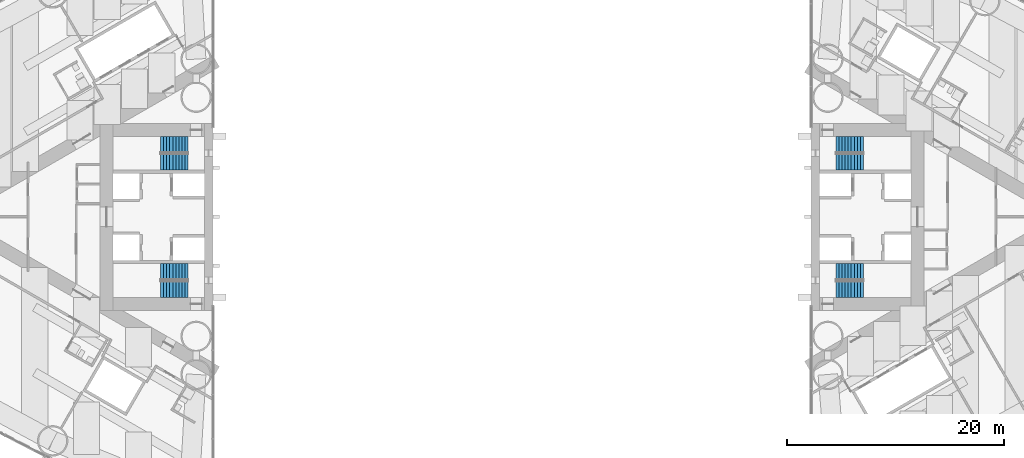
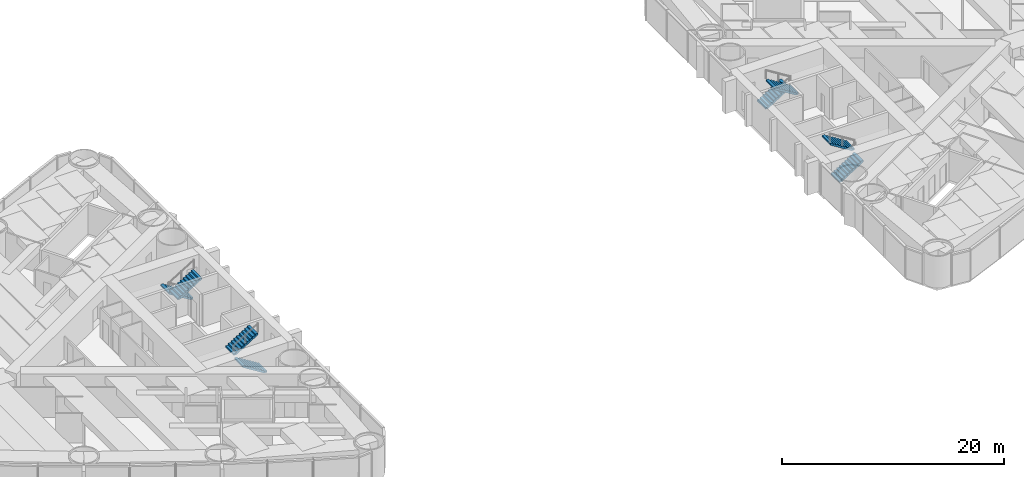
# One storey, part 17 of 19: 8 stair flights, 4 elements without a shape of their own.
"""IFC4 building model written with IfcOpenShell, lengths in metres."""

from ifc_helpers import new_model, si_unit, direction, frame, origin, place, context, subcontext, project, spatial, polyline, outline, extrude, material, type_object, element, aggregate, save


model = new_model("IFC4")

# Units and contexts
model_context = context("Model", 3, precision=1e-05, world=origin(), true_north=direction((0.0, 1.0)))
body_context = subcontext(model_context, "Body", "Model", "MODEL_VIEW")
ifc_project = project(units=[si_unit("LENGTHUNIT", "METRE"), si_unit("AREAUNIT", "SQUARE_METRE"), si_unit("VOLUMEUNIT", "CUBIC_METRE"), si_unit("PLANEANGLEUNIT", "RADIAN"), si_unit("MASSUNIT", "GRAM", prefix="KILO")], contexts=[model_context])

# Site, building, storey
site_placement = place(None, origin())
site = spatial("IfcSite", under=ifc_project, at=site_placement, CompositionType="ELEMENT")
building_placement = place(site_placement, origin())
building = spatial("IfcBuilding", under=site, at=building_placement, Name="Lancet Gate Hotel", CompositionType="ELEMENT")
storey_placement = place(building_placement, frame((0.0, 0.0, 70.5)))
storey = spatial("IfcBuildingStorey", under=building, at=storey_placement, Name="L18", CompositionType="ELEMENT", Elevation=70.5)

# Stair, stair flights
ifc_material_1 = material(Name="Exit stair 20 risers 1500")
stair_type = type_object("IfcStairType", Name="Exit stair 20 risers 1500", PredefinedType="HALF_TURN_STAIR", material=ifc_material_1)
stair_1_placement = place(storey_placement, origin())
stair_1 = element("IfcStair", 1, at=stair_1_placement, inside=storey, type_object=stair_type, Name="T1 stair 1 L18", PredefinedType="HALF_TURN_STAIR")
ifc_material_2 = material(Name="Stair flight 10 risers 175 rise 1500")
stair_flight_type = type_object("IfcStairFlightType", Name="Stair flight 10 risers 175 rise 1500", PredefinedType="STRAIGHT", material=ifc_material_2)
stair_flight_1_placement = place(storey_placement, frame((-29.800048828125, 6.64990234375, 0.0), z_axis=(0.0, 0.0, 1.0), x_axis=(-1.0, 0.0, 0.0)))
stair_flight_1 = element("IfcStairFlight", 2, at=stair_flight_1_placement, type_object=stair_flight_type, Name="ST1 flight 1", NumberOfRisers=10, NumberOfTreads=9, PredefinedType="STRAIGHT", RiserHeight=0.175, TreadLength=0.28, context=body_context, shape_type="SweptSolid", body=[
    extrude(outline(polyline([(0.0, 0.0), (0.0, 0.175048828125), (0.280029296875, 0.175048828125), (0.280029296875, 0.35009765625), (0.56005859375, 0.35009765625), (0.56005859375, 0.52490234375), (0.840087890625, 0.52490234375), (0.840087890625, 0.699951171875), (1.1201171875, 0.699951171875), (1.1201171875, 0.875), (1.39990234375, 0.875), (1.39990234375, 1.050048828125), (1.679931640625, 1.050048828125), (1.679931640625, 1.22509765625), (1.9599609375, 1.22509765625), (1.9599609375, 1.39990234375), (2.239990234375, 1.39990234375), (2.239990234375, 1.574951171875), (2.52001953125, 1.574951171875), (2.52001953125, 1.75), (2.52001953125, 1.398193359375), (0.28271484375, 0.0), (0.0, 0.0)])), frame((0.0, 0.75, 0.0), z_axis=(0.0, -1.0, 0.0), x_axis=(1.0, 0.0, 0.0)), (0.0, 0.0, 1.0), 1.5),
])
stair_flight_2_placement = place(storey_placement, frame((-32.320068359375, 5.050048828125, 1.75), z_axis=(0.0, 0.0, 1.0), x_axis=(1.0, 0.0, 0.0)))
stair_flight_2 = element("IfcStairFlight", 3, at=stair_flight_2_placement, type_object=stair_flight_type, Name="ST1 flight 2", NumberOfRisers=10, NumberOfTreads=9, PredefinedType="STRAIGHT", RiserHeight=0.175, TreadLength=0.28, context=body_context, shape_type="SweptSolid", body=[
    extrude(outline(polyline([(0.0, 0.0), (0.0, 0.175048828125), (0.280029296875, 0.175048828125), (0.280029296875, 0.35009765625), (0.56005859375, 0.35009765625), (0.56005859375, 0.52490234375), (0.840087890625, 0.52490234375), (0.840087890625, 0.699951171875), (1.1201171875, 0.699951171875), (1.1201171875, 0.875), (1.39990234375, 0.875), (1.39990234375, 1.050048828125), (1.679931640625, 1.050048828125), (1.679931640625, 1.22509765625), (1.9599609375, 1.22509765625), (1.9599609375, 1.39990234375), (2.239990234375, 1.39990234375), (2.239990234375, 1.574951171875), (2.52001953125, 1.574951171875), (2.52001953125, 1.75), (2.52001953125, 1.398193359375), (0.28271484375, 0.0), (0.0, 0.0)])), frame((0.0, 0.75, 0.0), z_axis=(0.0, -1.0, 0.0), x_axis=(1.0, 0.0, 0.0)), (0.0, 0.0, 1.0), 1.5),
])
aggregate(stair_1, [stair_flight_1, stair_flight_2])

stair_2_placement = place(storey_placement, origin())
stair_2 = element("IfcStair", 4, at=stair_2_placement, inside=storey, type_object=stair_type, Name="T1 stair 2 L18", PredefinedType="HALF_TURN_STAIR")
stair_flight_3_placement = place(storey_placement, frame((-29.800048828125, -6.64990234375, 0.0), z_axis=(0.0, 0.0, 1.0), x_axis=(-1.0, 0.0, 0.0)))
stair_flight_3 = element("IfcStairFlight", 5, at=stair_flight_3_placement, type_object=stair_flight_type, Name="ST2 flight 1", NumberOfRisers=10, NumberOfTreads=9, PredefinedType="STRAIGHT", RiserHeight=0.175, TreadLength=0.28, context=body_context, shape_type="SweptSolid", body=[
    extrude(outline(polyline([(0.0, 0.0), (0.0, 0.175048828125), (0.280029296875, 0.175048828125), (0.280029296875, 0.35009765625), (0.56005859375, 0.35009765625), (0.56005859375, 0.52490234375), (0.840087890625, 0.52490234375), (0.840087890625, 0.699951171875), (1.1201171875, 0.699951171875), (1.1201171875, 0.875), (1.39990234375, 0.875), (1.39990234375, 1.050048828125), (1.679931640625, 1.050048828125), (1.679931640625, 1.22509765625), (1.9599609375, 1.22509765625), (1.9599609375, 1.39990234375), (2.239990234375, 1.39990234375), (2.239990234375, 1.574951171875), (2.52001953125, 1.574951171875), (2.52001953125, 1.75), (2.52001953125, 1.398193359375), (0.28271484375, 0.0), (0.0, 0.0)])), frame((0.0, 0.75, 0.0), z_axis=(0.0, -1.0, 0.0), x_axis=(1.0, 0.0, 0.0)), (0.0, 0.0, 1.0), 1.5),
])
stair_flight_4_placement = place(storey_placement, frame((-32.320068359375, -5.050048828125, 1.75), z_axis=(0.0, 0.0, 1.0), x_axis=(1.0, 0.0, 0.0)))
stair_flight_4 = element("IfcStairFlight", 6, at=stair_flight_4_placement, type_object=stair_flight_type, Name="ST2 flight 2", NumberOfRisers=10, NumberOfTreads=9, PredefinedType="STRAIGHT", RiserHeight=0.175, TreadLength=0.28, context=body_context, shape_type="SweptSolid", body=[
    extrude(outline(polyline([(0.0, 0.0), (0.0, 0.175048828125), (0.280029296875, 0.175048828125), (0.280029296875, 0.35009765625), (0.56005859375, 0.35009765625), (0.56005859375, 0.52490234375), (0.840087890625, 0.52490234375), (0.840087890625, 0.699951171875), (1.1201171875, 0.699951171875), (1.1201171875, 0.875), (1.39990234375, 0.875), (1.39990234375, 1.050048828125), (1.679931640625, 1.050048828125), (1.679931640625, 1.22509765625), (1.9599609375, 1.22509765625), (1.9599609375, 1.39990234375), (2.239990234375, 1.39990234375), (2.239990234375, 1.574951171875), (2.52001953125, 1.574951171875), (2.52001953125, 1.75), (2.52001953125, 1.398193359375), (0.28271484375, 0.0), (0.0, 0.0)])), frame((0.0, 0.75, 0.0), z_axis=(0.0, -1.0, 0.0), x_axis=(1.0, 0.0, 0.0)), (0.0, 0.0, 1.0), 1.5),
])
aggregate(stair_2, [stair_flight_3, stair_flight_4])

stair_3_placement = place(storey_placement, origin())
stair_3 = element("IfcStair", 7, at=stair_3_placement, inside=storey, type_object=stair_type, Name="T2 stair 1 L18", PredefinedType="HALF_TURN_STAIR")
stair_flight_5_placement = place(storey_placement, frame((29.800048828125, -6.64990234375, 0.0), z_axis=(0.0, 0.0, 1.0), x_axis=(1.0, 0.0, 0.0)))
stair_flight_5 = element("IfcStairFlight", 8, at=stair_flight_5_placement, type_object=stair_flight_type, Name="ST3 flight 1", NumberOfRisers=10, NumberOfTreads=9, PredefinedType="STRAIGHT", RiserHeight=0.175, TreadLength=0.28, context=body_context, shape_type="SweptSolid", body=[
    extrude(outline(polyline([(0.0, 0.0), (0.0, 0.175048828125), (0.280029296875, 0.175048828125), (0.280029296875, 0.35009765625), (0.56005859375, 0.35009765625), (0.56005859375, 0.52490234375), (0.840087890625, 0.52490234375), (0.840087890625, 0.699951171875), (1.1201171875, 0.699951171875), (1.1201171875, 0.875), (1.39990234375, 0.875), (1.39990234375, 1.050048828125), (1.679931640625, 1.050048828125), (1.679931640625, 1.22509765625), (1.9599609375, 1.22509765625), (1.9599609375, 1.39990234375), (2.239990234375, 1.39990234375), (2.239990234375, 1.574951171875), (2.52001953125, 1.574951171875), (2.52001953125, 1.75), (2.52001953125, 1.398193359375), (0.28271484375, 0.0), (0.0, 0.0)])), frame((0.0, 0.75, 0.0), z_axis=(0.0, -1.0, 0.0), x_axis=(1.0, 0.0, 0.0)), (0.0, 0.0, 1.0), 1.5),
])
stair_flight_6_placement = place(storey_placement, frame((32.320068359375, -5.050048828125, 1.75), z_axis=(0.0, 0.0, 1.0), x_axis=(-1.0, 0.0, 0.0)))
stair_flight_6 = element("IfcStairFlight", 9, at=stair_flight_6_placement, type_object=stair_flight_type, Name="ST3 flight 2", NumberOfRisers=10, NumberOfTreads=9, PredefinedType="STRAIGHT", RiserHeight=0.175, TreadLength=0.28, context=body_context, shape_type="SweptSolid", body=[
    extrude(outline(polyline([(0.0, 0.0), (0.0, 0.175048828125), (0.280029296875, 0.175048828125), (0.280029296875, 0.35009765625), (0.56005859375, 0.35009765625), (0.56005859375, 0.52490234375), (0.840087890625, 0.52490234375), (0.840087890625, 0.699951171875), (1.1201171875, 0.699951171875), (1.1201171875, 0.875), (1.39990234375, 0.875), (1.39990234375, 1.050048828125), (1.679931640625, 1.050048828125), (1.679931640625, 1.22509765625), (1.9599609375, 1.22509765625), (1.9599609375, 1.39990234375), (2.239990234375, 1.39990234375), (2.239990234375, 1.574951171875), (2.52001953125, 1.574951171875), (2.52001953125, 1.75), (2.52001953125, 1.398193359375), (0.28271484375, 0.0), (0.0, 0.0)])), frame((0.0, 0.75, 0.0), z_axis=(0.0, -1.0, 0.0), x_axis=(1.0, 0.0, 0.0)), (0.0, 0.0, 1.0), 1.5),
])
aggregate(stair_3, [stair_flight_5, stair_flight_6])

stair_4_placement = place(storey_placement, origin())
stair_4 = element("IfcStair", 10, at=stair_4_placement, inside=storey, type_object=stair_type, Name="T2 stair 2 L18", PredefinedType="HALF_TURN_STAIR")
stair_flight_7_placement = place(storey_placement, frame((29.800048828125, 6.64990234375, 0.0), z_axis=(0.0, 0.0, 1.0), x_axis=(1.0, 0.0, 0.0)))
stair_flight_7 = element("IfcStairFlight", 11, at=stair_flight_7_placement, type_object=stair_flight_type, Name="ST4 flight 1", NumberOfRisers=10, NumberOfTreads=9, PredefinedType="STRAIGHT", RiserHeight=0.175, TreadLength=0.28, context=body_context, shape_type="SweptSolid", body=[
    extrude(outline(polyline([(0.0, 0.0), (0.0, 0.175048828125), (0.280029296875, 0.175048828125), (0.280029296875, 0.35009765625), (0.56005859375, 0.35009765625), (0.56005859375, 0.52490234375), (0.840087890625, 0.52490234375), (0.840087890625, 0.699951171875), (1.1201171875, 0.699951171875), (1.1201171875, 0.875), (1.39990234375, 0.875), (1.39990234375, 1.050048828125), (1.679931640625, 1.050048828125), (1.679931640625, 1.22509765625), (1.9599609375, 1.22509765625), (1.9599609375, 1.39990234375), (2.239990234375, 1.39990234375), (2.239990234375, 1.574951171875), (2.52001953125, 1.574951171875), (2.52001953125, 1.75), (2.52001953125, 1.398193359375), (0.28271484375, 0.0), (0.0, 0.0)])), frame((0.0, 0.75, 0.0), z_axis=(0.0, -1.0, 0.0), x_axis=(1.0, 0.0, 0.0)), (0.0, 0.0, 1.0), 1.5),
])
stair_flight_8_placement = place(storey_placement, frame((32.320068359375, 5.050048828125, 1.75), z_axis=(0.0, 0.0, 1.0), x_axis=(-1.0, 0.0, 0.0)))
stair_flight_8 = element("IfcStairFlight", 12, at=stair_flight_8_placement, type_object=stair_flight_type, Name="ST4 flight 2", NumberOfRisers=10, NumberOfTreads=9, PredefinedType="STRAIGHT", RiserHeight=0.175, TreadLength=0.28, context=body_context, shape_type="SweptSolid", body=[
    extrude(outline(polyline([(0.0, 0.0), (0.0, 0.175048828125), (0.280029296875, 0.175048828125), (0.280029296875, 0.35009765625), (0.56005859375, 0.35009765625), (0.56005859375, 0.52490234375), (0.840087890625, 0.52490234375), (0.840087890625, 0.699951171875), (1.1201171875, 0.699951171875), (1.1201171875, 0.875), (1.39990234375, 0.875), (1.39990234375, 1.050048828125), (1.679931640625, 1.050048828125), (1.679931640625, 1.22509765625), (1.9599609375, 1.22509765625), (1.9599609375, 1.39990234375), (2.239990234375, 1.39990234375), (2.239990234375, 1.574951171875), (2.52001953125, 1.574951171875), (2.52001953125, 1.75), (2.52001953125, 1.398193359375), (0.28271484375, 0.0), (0.0, 0.0)])), frame((0.0, 0.75, 0.0), z_axis=(0.0, -1.0, 0.0), x_axis=(1.0, 0.0, 0.0)), (0.0, 0.0, 1.0), 1.5),
])
aggregate(stair_4, [stair_flight_7, stair_flight_8])

save(model, "model.ifc")
